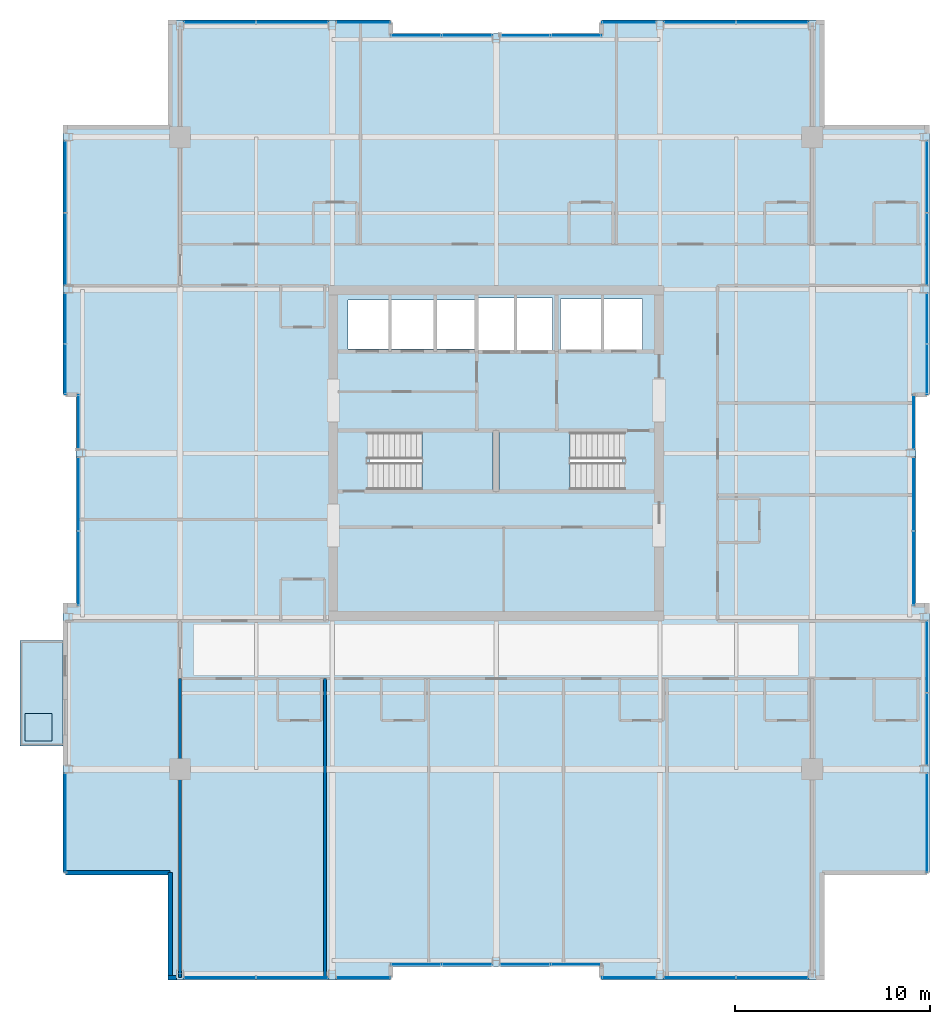
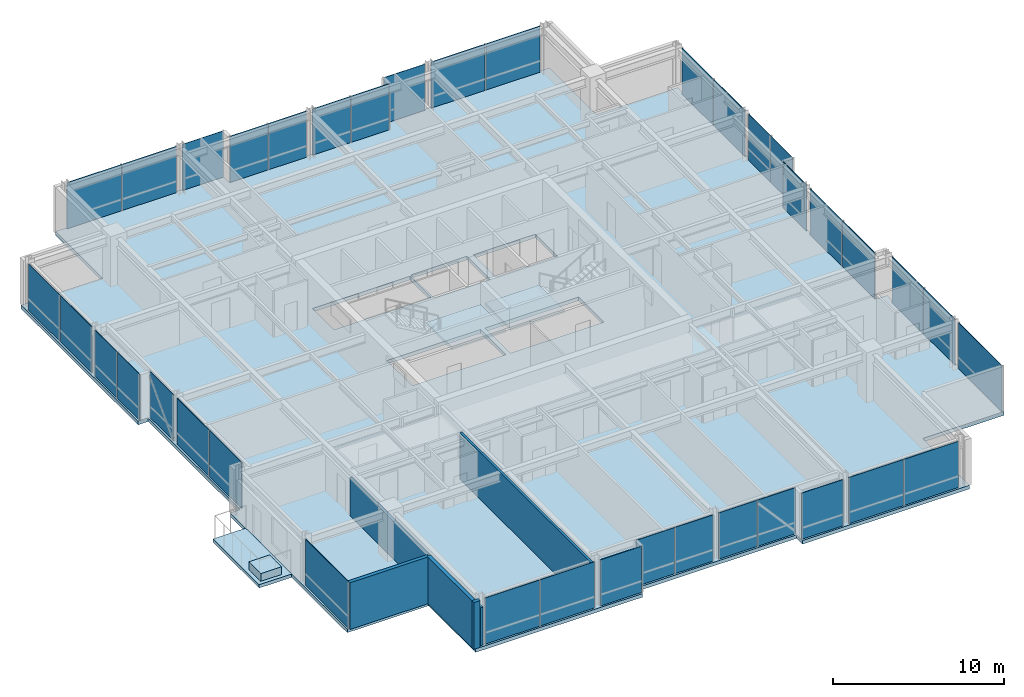
# One storey, part 25 of 32: 38 plates, 5 slabs, 5 walls, 25 elements without a shape of their own.
"""IFC4 building model written with IfcOpenShell, lengths in metres."""

from ifc_helpers import new_model, si_unit, direction, frame, frame_2d, origin, origin_2d, place, context, subcontext, project, spatial, polyline, rectangle, outline, extrude, material, layer, layer_set, type_object, element, aggregate, save


model = new_model("IFC4")

# Units and contexts
model_context = context("Model", 3, precision=1e-05, world=origin(), true_north=direction((0.0, 1.0)))
body_context = subcontext(model_context, "Body", "Model", "MODEL_VIEW")
ifc_project = project(units=[si_unit("LENGTHUNIT", "METRE"), si_unit("AREAUNIT", "SQUARE_METRE"), si_unit("VOLUMEUNIT", "CUBIC_METRE"), si_unit("PLANEANGLEUNIT", "RADIAN"), si_unit("MASSUNIT", "GRAM", prefix="KILO")], contexts=[model_context])

# Site, building, storey
site_placement = place(None, origin())
site = spatial("IfcSite", under=ifc_project, at=site_placement, CompositionType="ELEMENT")
building_placement = place(site_placement, origin())
building = spatial("IfcBuilding", under=site, at=building_placement, Name="Drelvath Grand Hotel", CompositionType="ELEMENT")
storey_placement = place(building_placement, frame((0.0, 0.0, 233.89990234375)))
storey = spatial("IfcBuildingStorey", under=building, at=storey_placement, Name="L61", CompositionType="ELEMENT", Elevation=233.89990234375)

# Slabs
ifc_material_1 = material(Name="Concrete f'c 40 MPa", Category="concrete")
ifc_layer_1 = layer(ifc_material_1, 0.239990234375)
ifc_layer_set_1 = layer_set([ifc_layer_1], Name="Concrete f'c 40 MPa")
slab_type_1 = type_object("IfcSlabType", Name="Cantilevered Tree Balcony Slab 240", PredefinedType="FLOOR", material=ifc_layer_set_1)
slab_1_placement = place(storey_placement, frame((0.0, 0.0, -0.239990234375)))
element("IfcSlab", 1, at=slab_1_placement, inside=storey, type_object=slab_type_1, Name="L61 Cantilevered Tree Balcony Slab 1", PredefinedType="FLOOR", context=body_context, shape_type="SweptSolid", body=[
    extrude(outline(polyline([(-24.39990234375, 12.0), (-22.199951171875, 12.0), (-22.199951171875, 17.39990234375), (-24.39990234375, 17.39990234375), (-24.39990234375, 12.0)])), origin(), (0.0, 0.0, 1.0), 0.239990234375),
])
ifc_layer_2 = layer(ifc_material_1, 0.260009765625)
ifc_layer_set_2 = layer_set([ifc_layer_2], Name="Concrete f'c 40 MPa")
slab_type_2 = type_object("IfcSlabType", Name="Composite RC Floor Slab 260", PredefinedType="FLOOR", material=ifc_layer_set_2)
slab_2_placement = place(storey_placement, frame((0.0, 0.0, -0.260009765625)))
element("IfcSlab", 2, at=slab_2_placement, inside=storey, type_object=slab_type_2, Name="L61 Structural Floor Slab", PredefinedType="FLOOR", context=body_context, shape_type="SweptSolid", body=[
    extrude(outline(polyline([(-16.699951171875, 0.0), (-5.39990234375, 0.0), (-5.39990234375, 0.679931640625), (5.39990234375, 0.679931640625), (5.39990234375, 0.0), (16.699951171875, 0.0), (16.699951171875, 5.5), (22.199951171875, 5.5), (22.199951171875, 19.199951171875), (21.52001953125, 19.199951171875), (21.52001953125, 30.0), (22.199951171875, 30.0), (22.199951171875, 43.699951171875), (16.699951171875, 43.699951171875), (16.699951171875, 49.199951171875), (5.39990234375, 49.199951171875), (5.39990234375, 48.52001953125), (-5.39990234375, 48.52001953125), (-5.39990234375, 49.199951171875), (-16.699951171875, 49.199951171875), (-16.699951171875, 43.699951171875), (-22.199951171875, 43.699951171875), (-22.199951171875, 30.0), (-21.52001953125, 30.0), (-21.52001953125, 19.199951171875), (-22.199951171875, 19.199951171875), (-22.199951171875, 5.5), (-16.699951171875, 5.5), (-16.699951171875, 0.0)]), holes=[polyline([(-6.47998046875, 25.1201171875), (-6.47998046875, 28.080078125), (-0.14990234375, 28.080078125), (-0.14990234375, 25.1201171875), (-6.47998046875, 25.1201171875)]), polyline([(0.14990234375, 25.1201171875), (0.14990234375, 28.080078125), (6.47998046875, 28.080078125), (6.47998046875, 25.1201171875), (0.14990234375, 25.1201171875)]), polyline([(-7.60009765625, 32.35009765625), (-7.60009765625, 34.85009765625), (-1.02001953125, 34.85009765625), (-1.02001953125, 32.35009765625), (-7.60009765625, 32.35009765625)]), polyline([(-0.89990234375, 32.25), (-0.89990234375, 34.949951171875), (2.89990234375, 34.949951171875), (2.89990234375, 32.25), (-0.89990234375, 32.25)]), polyline([(3.300048828125, 32.300048828125), (3.300048828125, 34.89990234375), (7.5, 34.89990234375), (7.5, 32.300048828125), (3.300048828125, 32.300048828125)])]), origin(), (0.0, 0.0, 1.0), 0.260009765625),
])

# Stair, slab
ifc_material_2 = material(Name="Concrete C40/50", Category="concrete")
stair_type = type_object("IfcStairType", Name="Dogleg Exit Stair W1400-R163.6", PredefinedType="HALF_TURN_STAIR", material=ifc_material_2)
stair_1_placement = place(storey_placement, origin())
stair_1 = element("IfcStair", 3, at=stair_1_placement, inside=storey, type_object=stair_type, Name="L61 Core Exit Stair ST-1", PredefinedType="HALF_TURN_STAIR")
ifc_layer_3 = layer(ifc_material_2, 0.199951171875)
ifc_layer_set_3 = layer_set([ifc_layer_3], Name="Concrete C40/50")
slab_type_3 = type_object("IfcSlabType", Name="Concrete Stair Landing Slab 200", PredefinedType="LANDING", material=ifc_layer_set_3)
slab_3_placement = place(storey_placement, frame((0.0, 0.0, 1.60009765625)))
slab_3 = element("IfcSlab", 4, at=slab_3_placement, type_object=slab_type_3, Name="ST-1 landing 1", PredefinedType="LANDING", context=body_context, shape_type="SweptSolid", body=[
    extrude(outline(polyline([(-3.800048828125, 25.1201171875), (-0.14990234375, 25.1201171875), (-0.14990234375, 28.080078125), (-3.800048828125, 28.080078125), (-3.800048828125, 25.1201171875)])), origin(), (0.0, 0.0, 1.0), 0.199951171875),
])
aggregate(stair_1, [slab_3])

stair_2_placement = place(storey_placement, origin())
stair_2 = element("IfcStair", 5, at=stair_2_placement, inside=storey, type_object=stair_type, Name="L61 Core Exit Stair ST-2", PredefinedType="HALF_TURN_STAIR")
slab_4_placement = place(storey_placement, frame((0.0, 0.0, 1.60009765625)))
slab_4 = element("IfcSlab", 6, at=slab_4_placement, type_object=slab_type_3, Name="ST-2 landing 1", PredefinedType="LANDING", context=body_context, shape_type="SweptSolid", body=[
    extrude(outline(polyline([(3.800048828125, 28.080078125), (0.14990234375, 28.080078125), (0.14990234375, 25.1201171875), (3.800048828125, 25.1201171875), (3.800048828125, 28.080078125)])), origin(), (0.0, 0.0, 1.0), 0.199951171875),
])
aggregate(stair_2, [slab_4])

# Curtain wall, plate
ifc_material_3 = material(Name="Platinum-Mist Anodised Aluminium Frame", Category="aluminium")
ifc_layer_4 = layer(ifc_material_3, 0.199951171875)
ifc_layer_set_4 = layer_set([ifc_layer_4], Name="Platinum-Mist Anodised Aluminium Frame")
curtain_wall_type = type_object("IfcCurtainWallType", Name="Stick Curtain Wall CW-05 Platinum Mist High-Rise", PredefinedType="NOTDEFINED", material=ifc_layer_set_4)
curtain_wall_1_placement = place(storey_placement, origin())
curtain_wall_1 = element("IfcCurtainWall", 7, at=curtain_wall_1_placement, inside=storey, type_object=curtain_wall_type, Name="L61 CW-05 Curtain Wall CW05-L61-WS1", PredefinedType="NOTDEFINED")
ifc_material_4 = material(Name="Low-E Triple Silver High-Altitude Glass", Category="glass")
ifc_layer_5 = layer(ifc_material_4, 0.035888671875)
ifc_layer_set_5 = layer_set([ifc_layer_5], Name="Low-E Triple Silver High-Altitude Glass")
plate_type = type_object("IfcPlateType", Name="Curtain Wall Vision Panel CW-05 36mm", PredefinedType="CURTAIN_PANEL", material=ifc_layer_set_5)
plate_1_placement = place(storey_placement, frame((-22.080078125, 8.057373046875, 0.02001953125), z_axis=(0.0, 0.0, 1.0), x_axis=(0.0, 1.0, 0.0)))
plate_1 = element("IfcPlate", 8, at=plate_1_placement, type_object=plate_type, Name="CW05-L61-WS1 Glazed Panel 1", PredefinedType="CURTAIN_PANEL", context=body_context, shape_type="SweptSolid", body=[
    extrude(rectangle(XDim=5.07470703125, YDim=0.035888671875, at=origin_2d()), origin(), (0.0, 0.0, 1.0), 3.300048828125),
])
aggregate(curtain_wall_1, [plate_1])

# Curtain wall, plates
curtain_wall_2_placement = place(storey_placement, origin())
curtain_wall_2 = element("IfcCurtainWall", 9, at=curtain_wall_2_placement, inside=storey, type_object=curtain_wall_type, Name="L61 CW-05 Curtain Wall CW05-L61-WM1", PredefinedType="NOTDEFINED")
plate_2_placement = place(storey_placement, frame((-21.39990234375, 21.103759765625, 0.02001953125), z_axis=(0.0, 0.0, 1.0), x_axis=(0.0, 1.0, 0.0)))
plate_2 = element("IfcPlate", 10, at=plate_2_placement, type_object=plate_type, Name="CW05-L61-WM1 Glazed Panel 1", PredefinedType="CURTAIN_PANEL", context=body_context, shape_type="SweptSolid", body=[
    extrude(rectangle(XDim=3.767333984375, YDim=0.035888671875, at=origin_2d()), origin(), (0.0, 0.0, 1.0), 3.300048828125),
])
plate_3_placement = place(storey_placement, frame((-21.39990234375, 24.910888671875, 0.02001953125), z_axis=(0.0, 0.0, 1.0), x_axis=(0.0, 1.0, 0.0)))
plate_3 = element("IfcPlate", 11, at=plate_3_placement, type_object=plate_type, Name="CW05-L61-WM1 Glazed Panel 2", PredefinedType="CURTAIN_PANEL", context=body_context, shape_type="SweptSolid", body=[
    extrude(rectangle(XDim=3.767333984375, YDim=0.035888671875, at=origin_2d()), origin(), (0.0, 0.0, 1.0), 3.300048828125),
])
aggregate(curtain_wall_2, [plate_2, plate_3])

# Curtain wall, plate
curtain_wall_3_placement = place(storey_placement, origin())
curtain_wall_3 = element("IfcCurtainWall", 12, at=curtain_wall_3_placement, inside=storey, type_object=curtain_wall_type, Name="L61 CW-05 Curtain Wall CW05-L61-WM2", PredefinedType="NOTDEFINED")
plate_4_placement = place(storey_placement, frame((-21.39990234375, 28.592529296875, 0.02001953125), z_axis=(0.0, 0.0, 1.0), x_axis=(0.0, 1.0, 0.0)))
plate_4 = element("IfcPlate", 13, at=plate_4_placement, type_object=plate_type, Name="CW05-L61-WM2 Glazed Panel 1", PredefinedType="CURTAIN_PANEL", context=body_context, shape_type="SweptSolid", body=[
    extrude(rectangle(XDim=2.774658203125, YDim=0.035888671875, at=origin_2d()), origin(), (0.0, 0.0, 1.0), 3.300048828125),
])
aggregate(curtain_wall_3, [plate_4])

# Curtain wall, plates
curtain_wall_4_placement = place(storey_placement, origin())
curtain_wall_4 = element("IfcCurtainWall", 14, at=curtain_wall_4_placement, inside=storey, type_object=curtain_wall_type, Name="L61 CW-05 Curtain Wall CW05-L61-WN1", PredefinedType="NOTDEFINED")
plate_5_placement = place(storey_placement, frame((-22.080078125, 31.3037109375, 0.02001953125), z_axis=(0.0, 0.0, 1.0), x_axis=(0.0, 1.0, 0.0)))
plate_5 = element("IfcPlate", 15, at=plate_5_placement, type_object=plate_type, Name="CW05-L61-WN1 Glazed Panel 1", PredefinedType="CURTAIN_PANEL", context=body_context, shape_type="SweptSolid", body=[
    extrude(rectangle(XDim=2.5673828125, YDim=0.035888671875, at=origin_2d()), origin(), (0.0, 0.0, 1.0), 3.300048828125),
])
plate_6_placement = place(storey_placement, frame((-22.080078125, 33.9111328125, 0.02001953125), z_axis=(0.0, 0.0, 1.0), x_axis=(0.0, 1.0, 0.0)))
plate_6 = element("IfcPlate", 16, at=plate_6_placement, type_object=plate_type, Name="CW05-L61-WN1 Glazed Panel 2", PredefinedType="CURTAIN_PANEL", context=body_context, shape_type="SweptSolid", body=[
    extrude(rectangle(XDim=2.5673828125, YDim=0.035888671875, at=origin_2d()), origin(), (0.0, 0.0, 1.0), 3.300048828125),
])
aggregate(curtain_wall_4, [plate_5, plate_6])

curtain_wall_5_placement = place(storey_placement, origin())
curtain_wall_5 = element("IfcCurtainWall", 17, at=curtain_wall_5_placement, inside=storey, type_object=curtain_wall_type, Name="L61 CW-05 Curtain Wall CW05-L61-WN2", PredefinedType="NOTDEFINED")
plate_7_placement = place(storey_placement, frame((-22.080078125, 37.442626953125, 0.02001953125), z_axis=(0.0, 0.0, 1.0), x_axis=(0.0, 1.0, 0.0)))
plate_7 = element("IfcPlate", 18, at=plate_7_placement, type_object=plate_type, Name="CW05-L61-WN2 Glazed Panel 1", PredefinedType="CURTAIN_PANEL", context=body_context, shape_type="SweptSolid", body=[
    extrude(rectangle(XDim=3.6748046875, YDim=0.035888671875, at=origin_2d()), origin(), (0.0, 0.0, 1.0), 3.300048828125),
])
plate_8_placement = place(storey_placement, frame((-22.080078125, 41.157470703125, 0.02001953125), z_axis=(0.0, 0.0, 1.0), x_axis=(0.0, 1.0, 0.0)))
plate_8 = element("IfcPlate", 19, at=plate_8_placement, type_object=plate_type, Name="CW05-L61-WN2 Glazed Panel 2", PredefinedType="CURTAIN_PANEL", context=body_context, shape_type="SweptSolid", body=[
    extrude(rectangle(XDim=3.6748046875, YDim=0.035888671875, at=origin_2d()), origin(), (0.0, 0.0, 1.0), 3.300048828125),
])
aggregate(curtain_wall_5, [plate_7, plate_8])

curtain_wall_6_placement = place(storey_placement, origin())
curtain_wall_6 = element("IfcCurtainWall", 20, at=curtain_wall_6_placement, inside=storey, type_object=curtain_wall_type, Name="L61 CW-05 Curtain Wall CW05-L61-EN1", PredefinedType="NOTDEFINED")
plate_9_placement = place(storey_placement, frame((22.080078125, 33.9111328125, 0.02001953125), z_axis=(0.0, 0.0, 1.0), x_axis=(0.0, -1.0, 0.0)))
plate_9 = element("IfcPlate", 21, at=plate_9_placement, type_object=plate_type, Name="CW05-L61-EN1 Glazed Panel 1", PredefinedType="CURTAIN_PANEL", context=body_context, shape_type="SweptSolid", body=[
    extrude(rectangle(XDim=2.5673828125, YDim=0.035888671875, at=origin_2d()), origin(), (0.0, 0.0, 1.0), 3.300048828125),
])
plate_10_placement = place(storey_placement, frame((22.080078125, 31.3037109375, 0.02001953125), z_axis=(0.0, 0.0, 1.0), x_axis=(0.0, -1.0, 0.0)))
plate_10 = element("IfcPlate", 22, at=plate_10_placement, type_object=plate_type, Name="CW05-L61-EN1 Glazed Panel 2", PredefinedType="CURTAIN_PANEL", context=body_context, shape_type="SweptSolid", body=[
    extrude(rectangle(XDim=2.5673828125, YDim=0.035888671875, at=origin_2d()), origin(), (0.0, 0.0, 1.0), 3.300048828125),
])
aggregate(curtain_wall_6, [plate_9, plate_10])

curtain_wall_7_placement = place(storey_placement, origin())
curtain_wall_7 = element("IfcCurtainWall", 23, at=curtain_wall_7_placement, inside=storey, type_object=curtain_wall_type, Name="L61 CW-05 Curtain Wall CW05-L61-EN2", PredefinedType="NOTDEFINED")
plate_11_placement = place(storey_placement, frame((22.080078125, 41.157470703125, 0.02001953125), z_axis=(0.0, 0.0, 1.0), x_axis=(0.0, -1.0, 0.0)))
plate_11 = element("IfcPlate", 24, at=plate_11_placement, type_object=plate_type, Name="CW05-L61-EN2 Glazed Panel 1", PredefinedType="CURTAIN_PANEL", context=body_context, shape_type="SweptSolid", body=[
    extrude(rectangle(XDim=3.6748046875, YDim=0.035888671875, at=origin_2d()), origin(), (0.0, 0.0, 1.0), 3.300048828125),
])
plate_12_placement = place(storey_placement, frame((22.080078125, 37.442626953125, 0.02001953125), z_axis=(0.0, 0.0, 1.0), x_axis=(0.0, -1.0, 0.0)))
plate_12 = element("IfcPlate", 25, at=plate_12_placement, type_object=plate_type, Name="CW05-L61-EN2 Glazed Panel 2", PredefinedType="CURTAIN_PANEL", context=body_context, shape_type="SweptSolid", body=[
    extrude(rectangle(XDim=3.6748046875, YDim=0.035888671875, at=origin_2d()), origin(), (0.0, 0.0, 1.0), 3.300048828125),
])
aggregate(curtain_wall_7, [plate_11, plate_12])

curtain_wall_8_placement = place(storey_placement, origin())
curtain_wall_8 = element("IfcCurtainWall", 26, at=curtain_wall_8_placement, inside=storey, type_object=curtain_wall_type, Name="L61 CW-05 Curtain Wall CW05-L61-EM1", PredefinedType="NOTDEFINED")
plate_13_placement = place(storey_placement, frame((21.39990234375, 24.910888671875, 0.02001953125), z_axis=(0.0, 0.0, 1.0), x_axis=(0.0, -1.0, 0.0)))
plate_13 = element("IfcPlate", 27, at=plate_13_placement, type_object=plate_type, Name="CW05-L61-EM1 Glazed Panel 1", PredefinedType="CURTAIN_PANEL", context=body_context, shape_type="SweptSolid", body=[
    extrude(rectangle(XDim=3.767333984375, YDim=0.035888671875, at=origin_2d()), origin(), (0.0, 0.0, 1.0), 3.300048828125),
])
plate_14_placement = place(storey_placement, frame((21.39990234375, 21.103759765625, 0.02001953125), z_axis=(0.0, 0.0, 1.0), x_axis=(0.0, -1.0, 0.0)))
plate_14 = element("IfcPlate", 28, at=plate_14_placement, type_object=plate_type, Name="CW05-L61-EM1 Glazed Panel 2", PredefinedType="CURTAIN_PANEL", context=body_context, shape_type="SweptSolid", body=[
    extrude(rectangle(XDim=3.767333984375, YDim=0.035888671875, at=origin_2d()), origin(), (0.0, 0.0, 1.0), 3.300048828125),
])
aggregate(curtain_wall_8, [plate_13, plate_14])

# Curtain wall, plate
curtain_wall_9_placement = place(storey_placement, origin())
curtain_wall_9 = element("IfcCurtainWall", 29, at=curtain_wall_9_placement, inside=storey, type_object=curtain_wall_type, Name="L61 CW-05 Curtain Wall CW05-L61-EM2", PredefinedType="NOTDEFINED")
plate_15_placement = place(storey_placement, frame((21.39990234375, 28.592529296875, 0.02001953125), z_axis=(0.0, 0.0, 1.0), x_axis=(0.0, -1.0, 0.0)))
plate_15 = element("IfcPlate", 30, at=plate_15_placement, type_object=plate_type, Name="CW05-L61-EM2 Glazed Panel 1", PredefinedType="CURTAIN_PANEL", context=body_context, shape_type="SweptSolid", body=[
    extrude(rectangle(XDim=2.774658203125, YDim=0.035888671875, at=origin_2d()), origin(), (0.0, 0.0, 1.0), 3.300048828125),
])
aggregate(curtain_wall_9, [plate_15])

curtain_wall_10_placement = place(storey_placement, origin())
curtain_wall_10 = element("IfcCurtainWall", 31, at=curtain_wall_10_placement, inside=storey, type_object=curtain_wall_type, Name="L61 CW-05 Curtain Wall CW05-L61-ES1", PredefinedType="NOTDEFINED")
plate_16_placement = place(storey_placement, frame((22.080078125, 8.057373046875, 0.02001953125), z_axis=(0.0, 0.0, 1.0), x_axis=(0.0, -1.0, 0.0)))
plate_16 = element("IfcPlate", 32, at=plate_16_placement, type_object=plate_type, Name="CW05-L61-ES1 Glazed Panel 1", PredefinedType="CURTAIN_PANEL", context=body_context, shape_type="SweptSolid", body=[
    extrude(rectangle(XDim=5.07470703125, YDim=0.035888671875, at=origin_2d()), origin(), (0.0, 0.0, 1.0), 3.300048828125),
])
aggregate(curtain_wall_10, [plate_16])

# Curtain wall, plates
curtain_wall_11_placement = place(storey_placement, origin())
curtain_wall_11 = element("IfcCurtainWall", 33, at=curtain_wall_11_placement, inside=storey, type_object=curtain_wall_type, Name="L61 CW-05 Curtain Wall CW05-L61-ES2", PredefinedType="NOTDEFINED")
plate_17_placement = place(storey_placement, frame((22.080078125, 16.557373046875, 0.02001953125), z_axis=(0.0, 0.0, 1.0), x_axis=(0.0, -1.0, 0.0)))
plate_17 = element("IfcPlate", 34, at=plate_17_placement, type_object=plate_type, Name="CW05-L61-ES2 Glazed Panel 1", PredefinedType="CURTAIN_PANEL", context=body_context, shape_type="SweptSolid", body=[
    extrude(rectangle(XDim=3.6748046875, YDim=0.035888671875, at=origin_2d()), origin(), (0.0, 0.0, 1.0), 3.300048828125),
])
plate_18_placement = place(storey_placement, frame((22.080078125, 12.842529296875, 0.02001953125), z_axis=(0.0, 0.0, 1.0), x_axis=(0.0, -1.0, 0.0)))
plate_18 = element("IfcPlate", 35, at=plate_18_placement, type_object=plate_type, Name="CW05-L61-ES2 Glazed Panel 2", PredefinedType="CURTAIN_PANEL", context=body_context, shape_type="SweptSolid", body=[
    extrude(rectangle(XDim=3.6748046875, YDim=0.035888671875, at=origin_2d()), origin(), (0.0, 0.0, 1.0), 3.300048828125),
])
aggregate(curtain_wall_11, [plate_17, plate_18])

curtain_wall_12_placement = place(storey_placement, origin())
curtain_wall_12 = element("IfcCurtainWall", 36, at=curtain_wall_12_placement, inside=storey, type_object=curtain_wall_type, Name="L61 CW-05 Curtain Wall CW05-L61-NW2", PredefinedType="NOTDEFINED")
plate_19_placement = place(storey_placement, frame((-14.157470703125, 49.080078125, 0.02001953125), z_axis=(0.0, 0.0, 1.0), x_axis=(1.0, 0.0, 0.0)))
plate_19 = element("IfcPlate", 37, at=plate_19_placement, type_object=plate_type, Name="CW05-L61-NW2 Glazed Panel 1", PredefinedType="CURTAIN_PANEL", context=body_context, shape_type="SweptSolid", body=[
    extrude(rectangle(XDim=3.6748046875, YDim=0.035888671875, at=origin_2d()), origin(), (0.0, 0.0, 1.0), 3.300048828125),
])
plate_20_placement = place(storey_placement, frame((-10.442626953125, 49.080078125, 0.02001953125), z_axis=(0.0, 0.0, 1.0), x_axis=(1.0, 0.0, 0.0)))
plate_20 = element("IfcPlate", 38, at=plate_20_placement, type_object=plate_type, Name="CW05-L61-NW2 Glazed Panel 2", PredefinedType="CURTAIN_PANEL", context=body_context, shape_type="SweptSolid", body=[
    extrude(rectangle(XDim=3.6748046875, YDim=0.035888671875, at=origin_2d()), origin(), (0.0, 0.0, 1.0), 3.300048828125),
])
aggregate(curtain_wall_12, [plate_19, plate_20])

# Curtain wall, plate
curtain_wall_13_placement = place(storey_placement, origin())
curtain_wall_13 = element("IfcCurtainWall", 39, at=curtain_wall_13_placement, inside=storey, type_object=curtain_wall_type, Name="L61 CW-05 Curtain Wall CW05-L61-NW3", PredefinedType="NOTDEFINED")
plate_21_placement = place(storey_placement, frame((-6.807373046875, 49.080078125, 0.02001953125), z_axis=(0.0, 0.0, 1.0), x_axis=(1.0, 0.0, 0.0)))
plate_21 = element("IfcPlate", 40, at=plate_21_placement, type_object=plate_type, Name="CW05-L61-NW3 Glazed Panel 1", PredefinedType="CURTAIN_PANEL", context=body_context, shape_type="SweptSolid", body=[
    extrude(rectangle(XDim=2.774658203125, YDim=0.035888671875, at=origin_2d()), origin(), (0.0, 0.0, 1.0), 3.300048828125),
])
aggregate(curtain_wall_13, [plate_21])

# Curtain wall, plates
curtain_wall_14_placement = place(storey_placement, origin())
curtain_wall_14 = element("IfcCurtainWall", 41, at=curtain_wall_14_placement, inside=storey, type_object=curtain_wall_type, Name="L61 CW-05 Curtain Wall CW05-L61-NM1", PredefinedType="NOTDEFINED")
plate_22_placement = place(storey_placement, frame((-4.096435546875, 48.39990234375, 0.02001953125), z_axis=(0.0, 0.0, 1.0), x_axis=(1.0, 0.0, 0.0)))
plate_22 = element("IfcPlate", 42, at=plate_22_placement, type_object=plate_type, Name="CW05-L61-NM1 Glazed Panel 1", PredefinedType="CURTAIN_PANEL", context=body_context, shape_type="SweptSolid", body=[
    extrude(rectangle(XDim=2.5673828125, YDim=0.035888671875, at=origin_2d()), origin(), (0.0, 0.0, 1.0), 3.300048828125),
])
plate_23_placement = place(storey_placement, frame((-1.489013671875, 48.39990234375, 0.02001953125), z_axis=(0.0, 0.0, 1.0), x_axis=(1.0, 0.0, 0.0)))
plate_23 = element("IfcPlate", 43, at=plate_23_placement, type_object=plate_type, Name="CW05-L61-NM1 Glazed Panel 2", PredefinedType="CURTAIN_PANEL", context=body_context, shape_type="SweptSolid", body=[
    extrude(rectangle(XDim=2.5673828125, YDim=0.035888671875, at=origin_2d()), origin(), (0.0, 0.0, 1.0), 3.300048828125),
])
aggregate(curtain_wall_14, [plate_22, plate_23])

curtain_wall_15_placement = place(storey_placement, origin())
curtain_wall_15 = element("IfcCurtainWall", 44, at=curtain_wall_15_placement, inside=storey, type_object=curtain_wall_type, Name="L61 CW-05 Curtain Wall CW05-L61-NM2", PredefinedType="NOTDEFINED")
plate_24_placement = place(storey_placement, frame((1.489013671875, 48.39990234375, 0.02001953125), z_axis=(0.0, 0.0, 1.0), x_axis=(1.0, 0.0, 0.0)))
plate_24 = element("IfcPlate", 45, at=plate_24_placement, type_object=plate_type, Name="CW05-L61-NM2 Glazed Panel 1", PredefinedType="CURTAIN_PANEL", context=body_context, shape_type="SweptSolid", body=[
    extrude(rectangle(XDim=2.5673828125, YDim=0.035888671875, at=origin_2d()), origin(), (0.0, 0.0, 1.0), 3.300048828125),
])
plate_25_placement = place(storey_placement, frame((4.096435546875, 48.39990234375, 0.02001953125), z_axis=(0.0, 0.0, 1.0), x_axis=(1.0, 0.0, 0.0)))
plate_25 = element("IfcPlate", 46, at=plate_25_placement, type_object=plate_type, Name="CW05-L61-NM2 Glazed Panel 2", PredefinedType="CURTAIN_PANEL", context=body_context, shape_type="SweptSolid", body=[
    extrude(rectangle(XDim=2.5673828125, YDim=0.035888671875, at=origin_2d()), origin(), (0.0, 0.0, 1.0), 3.300048828125),
])
aggregate(curtain_wall_15, [plate_24, plate_25])

# Curtain wall, plate
curtain_wall_16_placement = place(storey_placement, origin())
curtain_wall_16 = element("IfcCurtainWall", 47, at=curtain_wall_16_placement, inside=storey, type_object=curtain_wall_type, Name="L61 CW-05 Curtain Wall CW05-L61-NE1", PredefinedType="NOTDEFINED")
plate_26_placement = place(storey_placement, frame((6.807373046875, 49.080078125, 0.02001953125), z_axis=(0.0, 0.0, 1.0), x_axis=(1.0, 0.0, 0.0)))
plate_26 = element("IfcPlate", 48, at=plate_26_placement, type_object=plate_type, Name="CW05-L61-NE1 Glazed Panel 1", PredefinedType="CURTAIN_PANEL", context=body_context, shape_type="SweptSolid", body=[
    extrude(rectangle(XDim=2.774658203125, YDim=0.035888671875, at=origin_2d()), origin(), (0.0, 0.0, 1.0), 3.300048828125),
])
aggregate(curtain_wall_16, [plate_26])

# Curtain wall, plates
curtain_wall_17_placement = place(storey_placement, origin())
curtain_wall_17 = element("IfcCurtainWall", 49, at=curtain_wall_17_placement, inside=storey, type_object=curtain_wall_type, Name="L61 CW-05 Curtain Wall CW05-L61-NE2", PredefinedType="NOTDEFINED")
plate_27_placement = place(storey_placement, frame((10.442626953125, 49.080078125, 0.02001953125), z_axis=(0.0, 0.0, 1.0), x_axis=(1.0, 0.0, 0.0)))
plate_27 = element("IfcPlate", 50, at=plate_27_placement, type_object=plate_type, Name="CW05-L61-NE2 Glazed Panel 1", PredefinedType="CURTAIN_PANEL", context=body_context, shape_type="SweptSolid", body=[
    extrude(rectangle(XDim=3.6748046875, YDim=0.035888671875, at=origin_2d()), origin(), (0.0, 0.0, 1.0), 3.300048828125),
])
plate_28_placement = place(storey_placement, frame((14.157470703125, 49.080078125, 0.02001953125), z_axis=(0.0, 0.0, 1.0), x_axis=(1.0, 0.0, 0.0)))
plate_28 = element("IfcPlate", 51, at=plate_28_placement, type_object=plate_type, Name="CW05-L61-NE2 Glazed Panel 2", PredefinedType="CURTAIN_PANEL", context=body_context, shape_type="SweptSolid", body=[
    extrude(rectangle(XDim=3.6748046875, YDim=0.035888671875, at=origin_2d()), origin(), (0.0, 0.0, 1.0), 3.300048828125),
])
aggregate(curtain_wall_17, [plate_27, plate_28])

# Curtain wall, plate
curtain_wall_18_placement = place(storey_placement, origin())
curtain_wall_18 = element("IfcCurtainWall", 52, at=curtain_wall_18_placement, inside=storey, type_object=curtain_wall_type, Name="L61 CW-05 Curtain Wall CW05-L61-SE1", PredefinedType="NOTDEFINED")
plate_29_placement = place(storey_placement, frame((6.807373046875, 0.1201171875, 0.02001953125), z_axis=(0.0, 0.0, 1.0), x_axis=(-1.0, 0.0, 0.0)))
plate_29 = element("IfcPlate", 53, at=plate_29_placement, type_object=plate_type, Name="CW05-L61-SE1 Glazed Panel 1", PredefinedType="CURTAIN_PANEL", context=body_context, shape_type="SweptSolid", body=[
    extrude(rectangle(XDim=2.774658203125, YDim=0.035888671875, at=origin_2d()), origin(), (0.0, 0.0, 1.0), 3.300048828125),
])
aggregate(curtain_wall_18, [plate_29])

# Curtain wall, plates
curtain_wall_19_placement = place(storey_placement, origin())
curtain_wall_19 = element("IfcCurtainWall", 54, at=curtain_wall_19_placement, inside=storey, type_object=curtain_wall_type, Name="L61 CW-05 Curtain Wall CW05-L61-SE2", PredefinedType="NOTDEFINED")
plate_30_placement = place(storey_placement, frame((14.157470703125, 0.1201171875, 0.02001953125), z_axis=(0.0, 0.0, 1.0), x_axis=(-1.0, 0.0, 0.0)))
plate_30 = element("IfcPlate", 55, at=plate_30_placement, type_object=plate_type, Name="CW05-L61-SE2 Glazed Panel 1", PredefinedType="CURTAIN_PANEL", context=body_context, shape_type="SweptSolid", body=[
    extrude(rectangle(XDim=3.6748046875, YDim=0.035888671875, at=origin_2d()), origin(), (0.0, 0.0, 1.0), 3.300048828125),
])
plate_31_placement = place(storey_placement, frame((10.442626953125, 0.1201171875, 0.02001953125), z_axis=(0.0, 0.0, 1.0), x_axis=(-1.0, 0.0, 0.0)))
plate_31 = element("IfcPlate", 56, at=plate_31_placement, type_object=plate_type, Name="CW05-L61-SE2 Glazed Panel 2", PredefinedType="CURTAIN_PANEL", context=body_context, shape_type="SweptSolid", body=[
    extrude(rectangle(XDim=3.6748046875, YDim=0.035888671875, at=origin_2d()), origin(), (0.0, 0.0, 1.0), 3.300048828125),
])
aggregate(curtain_wall_19, [plate_30, plate_31])

curtain_wall_20_placement = place(storey_placement, origin())
curtain_wall_20 = element("IfcCurtainWall", 57, at=curtain_wall_20_placement, inside=storey, type_object=curtain_wall_type, Name="L61 CW-05 Curtain Wall CW05-L61-SM1", PredefinedType="NOTDEFINED")
plate_32_placement = place(storey_placement, frame((-1.489013671875, 0.800048828125, 0.02001953125), z_axis=(0.0, 0.0, 1.0), x_axis=(-1.0, 0.0, 0.0)))
plate_32 = element("IfcPlate", 58, at=plate_32_placement, type_object=plate_type, Name="CW05-L61-SM1 Glazed Panel 1", PredefinedType="CURTAIN_PANEL", context=body_context, shape_type="SweptSolid", body=[
    extrude(rectangle(XDim=2.5673828125, YDim=0.035888671875, at=origin_2d()), origin(), (0.0, 0.0, 1.0), 3.300048828125),
])
plate_33_placement = place(storey_placement, frame((-4.096435546875, 0.800048828125, 0.02001953125), z_axis=(0.0, 0.0, 1.0), x_axis=(-1.0, 0.0, 0.0)))
plate_33 = element("IfcPlate", 59, at=plate_33_placement, type_object=plate_type, Name="CW05-L61-SM1 Glazed Panel 2", PredefinedType="CURTAIN_PANEL", context=body_context, shape_type="SweptSolid", body=[
    extrude(rectangle(XDim=2.5673828125, YDim=0.035888671875, at=origin_2d()), origin(), (0.0, 0.0, 1.0), 3.300048828125),
])
aggregate(curtain_wall_20, [plate_32, plate_33])

curtain_wall_21_placement = place(storey_placement, origin())
curtain_wall_21 = element("IfcCurtainWall", 60, at=curtain_wall_21_placement, inside=storey, type_object=curtain_wall_type, Name="L61 CW-05 Curtain Wall CW05-L61-SM2", PredefinedType="NOTDEFINED")
plate_34_placement = place(storey_placement, frame((4.096435546875, 0.800048828125, 0.02001953125), z_axis=(0.0, 0.0, 1.0), x_axis=(-1.0, 0.0, 0.0)))
plate_34 = element("IfcPlate", 61, at=plate_34_placement, type_object=plate_type, Name="CW05-L61-SM2 Glazed Panel 1", PredefinedType="CURTAIN_PANEL", context=body_context, shape_type="SweptSolid", body=[
    extrude(rectangle(XDim=2.5673828125, YDim=0.035888671875, at=origin_2d()), origin(), (0.0, 0.0, 1.0), 3.300048828125),
])
plate_35_placement = place(storey_placement, frame((1.489013671875, 0.800048828125, 0.02001953125), z_axis=(0.0, 0.0, 1.0), x_axis=(-1.0, 0.0, 0.0)))
plate_35 = element("IfcPlate", 62, at=plate_35_placement, type_object=plate_type, Name="CW05-L61-SM2 Glazed Panel 2", PredefinedType="CURTAIN_PANEL", context=body_context, shape_type="SweptSolid", body=[
    extrude(rectangle(XDim=2.5673828125, YDim=0.035888671875, at=origin_2d()), origin(), (0.0, 0.0, 1.0), 3.300048828125),
])
aggregate(curtain_wall_21, [plate_34, plate_35])

curtain_wall_22_placement = place(storey_placement, origin())
curtain_wall_22 = element("IfcCurtainWall", 63, at=curtain_wall_22_placement, inside=storey, type_object=curtain_wall_type, Name="L61 CW-05 Curtain Wall CW05-L61-SW2", PredefinedType="NOTDEFINED")
plate_36_placement = place(storey_placement, frame((-10.442626953125, 0.1201171875, 0.02001953125), z_axis=(0.0, 0.0, 1.0), x_axis=(-1.0, 0.0, 0.0)))
plate_36 = element("IfcPlate", 64, at=plate_36_placement, type_object=plate_type, Name="CW05-L61-SW2 Glazed Panel 1", PredefinedType="CURTAIN_PANEL", context=body_context, shape_type="SweptSolid", body=[
    extrude(rectangle(XDim=3.6748046875, YDim=0.035888671875, at=origin_2d()), origin(), (0.0, 0.0, 1.0), 3.300048828125),
])
plate_37_placement = place(storey_placement, frame((-14.157470703125, 0.1201171875, 0.02001953125), z_axis=(0.0, 0.0, 1.0), x_axis=(-1.0, 0.0, 0.0)))
plate_37 = element("IfcPlate", 65, at=plate_37_placement, type_object=plate_type, Name="CW05-L61-SW2 Glazed Panel 2", PredefinedType="CURTAIN_PANEL", context=body_context, shape_type="SweptSolid", body=[
    extrude(rectangle(XDim=3.6748046875, YDim=0.035888671875, at=origin_2d()), origin(), (0.0, 0.0, 1.0), 3.300048828125),
])
aggregate(curtain_wall_22, [plate_36, plate_37])

# Curtain wall, plate
curtain_wall_23_placement = place(storey_placement, origin())
curtain_wall_23 = element("IfcCurtainWall", 66, at=curtain_wall_23_placement, inside=storey, type_object=curtain_wall_type, Name="L61 CW-05 Curtain Wall CW05-L61-SW3", PredefinedType="NOTDEFINED")
plate_38_placement = place(storey_placement, frame((-6.807373046875, 0.1201171875, 0.02001953125), z_axis=(0.0, 0.0, 1.0), x_axis=(-1.0, 0.0, 0.0)))
plate_38 = element("IfcPlate", 67, at=plate_38_placement, type_object=plate_type, Name="CW05-L61-SW3 Glazed Panel 1", PredefinedType="CURTAIN_PANEL", context=body_context, shape_type="SweptSolid", body=[
    extrude(rectangle(XDim=2.774658203125, YDim=0.035888671875, at=origin_2d()), origin(), (0.0, 0.0, 1.0), 3.300048828125),
])
aggregate(curtain_wall_23, [plate_38])

# Slab
ifc_layer_6 = layer(ifc_material_1, 0.550048828125)
ifc_layer_set_6 = layer_set([ifc_layer_6], Name="Concrete f'c 40 MPa")
slab_type_4 = type_object("IfcSlabType", Name="Structural Tree Planter Box 550", PredefinedType="USERDEFINED", material=ifc_layer_set_6)
slab_5_placement = place(storey_placement, origin())
element("IfcSlab", 68, at=slab_5_placement, inside=storey, type_object=slab_type_4, Name="L61 Tree Balcony Structural Planter 1", ObjectType="PLANTER", PredefinedType="USERDEFINED", context=body_context, shape_type="SweptSolid", body=[
    extrude(outline(polyline([(-24.14990234375, 12.25), (-22.75, 12.25), (-22.75, 13.64990234375), (-24.14990234375, 13.64990234375), (-24.14990234375, 12.25)])), origin(), (0.0, 0.0, 1.0), 0.550048828125),
])

# Walls
ifc_material_5 = material(Name="Gypsum Acoustic Partition")
ifc_layer_7 = layer(ifc_material_5, 0.14990234375)
ifc_layer_set_7 = layer_set([ifc_layer_7], Name="Gypsum Acoustic Partition")
wall_type_1 = type_object("IfcWallType", Name="Guestroom Demising Wall 150", PredefinedType="PARTITIONING", material=ifc_layer_set_7)
wall_1_placement = place(storey_placement, frame((-8.763916015625, 0.1201171875, 0.0), z_axis=(0.0, 0.0, 1.0), x_axis=(0.0, 1.0, 0.0)))
element("IfcWall", 69, at=wall_1_placement, inside=storey, type_object=wall_type_1, Name="L61 South Demising 1", PredefinedType="PARTITIONING", context=body_context, shape_type="SweptSolid", body=[
    extrude(rectangle(XDim=15.329833984375, YDim=0.14990234375, at=frame_2d((7.6650390625, 0.0))), origin(), (0.0, 0.0, 1.0), 3.340087890625),
])
ifc_layer_8 = layer(ifc_material_5, 0.1650390625)
ifc_layer_set_8 = layer_set([ifc_layer_8], Name="Gypsum Acoustic Partition")
wall_type_2 = type_object("IfcWallType", Name="Suite Demising Wall 165", PredefinedType="PARTITIONING", material=ifc_layer_set_8)
wall_2_placement = place(storey_placement, frame((-16.199951171875, 0.1201171875, 0.0), z_axis=(0.0, 0.0, 1.0), x_axis=(0.0, 1.0, 0.0)))
element("IfcWall", 70, at=wall_2_placement, inside=storey, type_object=wall_type_2, Name="L61 SW Suite Wall", PredefinedType="PARTITIONING", context=body_context, shape_type="SweptSolid", body=[
    extrude(rectangle(XDim=15.329833984375, YDim=0.1650390625, at=frame_2d((7.6650390625, 0.0))), origin(), (0.0, 0.0, 1.0), 2.7138671875),
])
ifc_material_6 = material(Name="Pale-Metal Insulated Aluminium Spandrel Assembly", Category="aluminium")
ifc_layer_9 = layer(ifc_material_6, 0.239990234375)
ifc_layer_set_9 = layer_set([ifc_layer_9], Name="Pale-Metal Insulated Aluminium Spandrel Assembly")
wall_type_3 = type_object("IfcWallType", Name="Tower Insulated Metal Spandrel Closure Wall 240", PredefinedType="STANDARD", material=ifc_layer_set_9)
wall_3_placement = place(storey_placement, frame((-16.38525390625, 0.1201171875, 0.0), z_axis=(0.0, 0.0, 1.0), x_axis=(-1.0, 0.0, 0.0)))
element("IfcWall", 71, at=wall_3_placement, inside=storey, type_object=wall_type_3, Name="L61 Corner Pier Spandrel Wall SW1", PredefinedType="STANDARD", context=body_context, shape_type="SweptSolid", body=[
    extrude(rectangle(XDim=0.434814453125, YDim=0.239990234375, at=frame_2d((0.21728515625, 0.0))), origin(), (0.0, 0.0, 1.0), 3.340087890625),
])
wall_4_placement = place(storey_placement, frame((-16.699951171875, 0.239990234375, 0.0), z_axis=(0.0, 0.0, 1.0), x_axis=(0.0, 1.0, 0.0)))
element("IfcWall", 72, at=wall_4_placement, inside=storey, type_object=wall_type_3, Name="L61 Notched Corner Return Spandrel Wall CSW1", PredefinedType="STANDARD", context=body_context, shape_type="SweptSolid", body=[
    extrude(rectangle(XDim=5.260009765625, YDim=0.239990234375, at=frame_2d((2.6298828125, 0.0))), origin(), (0.0, 0.0, 1.0), 3.340087890625),
])
wall_5_placement = place(storey_placement, frame((-16.699951171875, 5.5, 0.0), z_axis=(0.0, 0.0, 1.0), x_axis=(-1.0, 0.0, 0.0)))
element("IfcWall", 73, at=wall_5_placement, inside=storey, type_object=wall_type_3, Name="L61 Notched Corner Return Spandrel Wall CSW2", PredefinedType="STANDARD", context=body_context, shape_type="SweptSolid", body=[
    extrude(rectangle(XDim=5.380126953125, YDim=0.239990234375, at=frame_2d((2.68994140625, 0.0))), origin(), (0.0, 0.0, 1.0), 3.340087890625),
])

save(model, "model.ifc")
